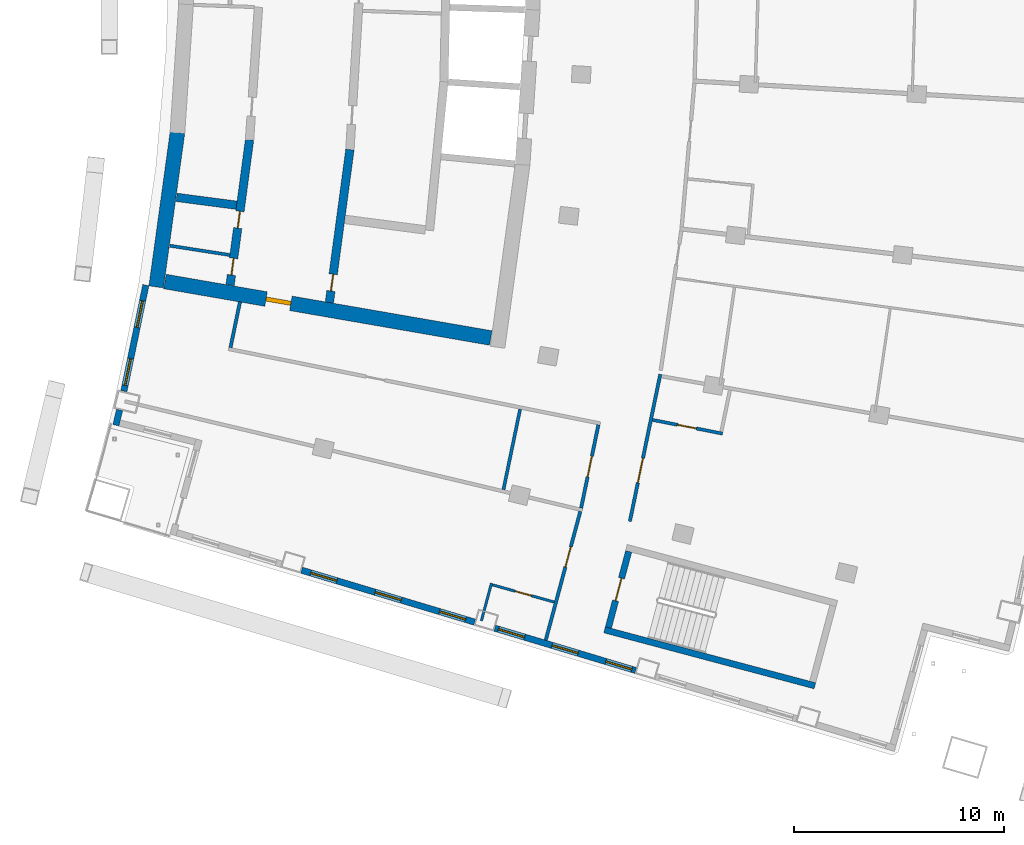
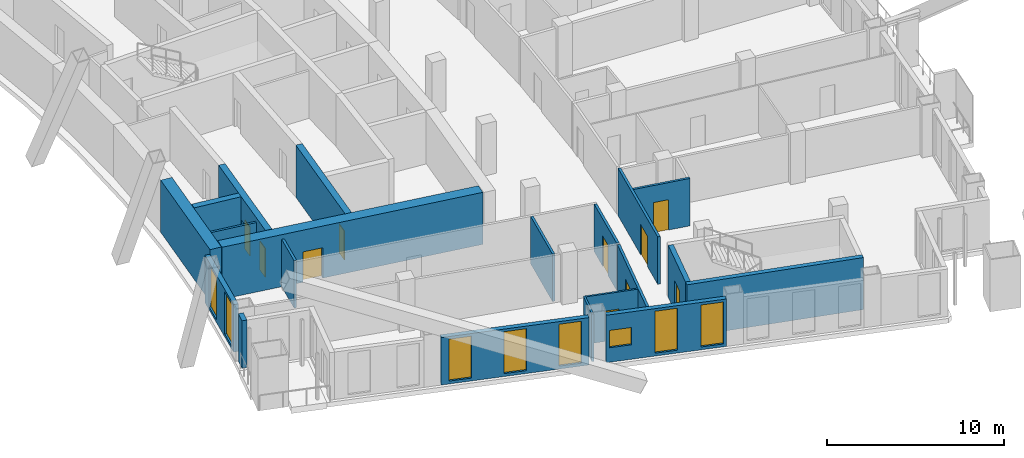
# One storey, part 10 of 20: 20 walls, 10 doors, 8 windows, 18 openings.
"""IFC4 building model written with IfcOpenShell, lengths in metres."""

from ifc_helpers import new_model, si_unit, direction, frame, frame_2d, origin, place, context, subcontext, project, spatial, rectangle, extrude, material, layer, layer_set, type_object, element, fill, save


model = new_model("IFC4")

# Units and contexts
model_context = context("Model", 3, precision=1e-05, world=origin(), true_north=direction((0.0, 1.0)))
body_context = subcontext(model_context, "Body", "Model", "MODEL_VIEW")
ifc_project = project(units=[si_unit("LENGTHUNIT", "METRE"), si_unit("AREAUNIT", "SQUARE_METRE"), si_unit("VOLUMEUNIT", "CUBIC_METRE"), si_unit("PLANEANGLEUNIT", "RADIAN"), si_unit("MASSUNIT", "GRAM", prefix="KILO")], contexts=[model_context])

# Site, building, storey
site_placement = place(None, origin())
site = spatial("IfcSite", under=ifc_project, at=site_placement, CompositionType="ELEMENT")
building_placement = place(site_placement, origin())
building = spatial("IfcBuilding", under=site, at=building_placement, Name="Alderwake Tower", CompositionType="ELEMENT")
storey_placement = place(building_placement, frame((0.0, 0.0, 149.60009765625)))
storey = spatial("IfcBuildingStorey", under=building, at=storey_placement, Name="L36", CompositionType="ELEMENT", Elevation=149.60009765625)

# Walls
ifc_material_1 = material(Name="Gypsum shaft wall system, rated")
ifc_layer_1 = layer(ifc_material_1, 0.14990234375)
ifc_layer_set_1 = layer_set([ifc_layer_1], Name="Core room partition 150")
wall_type_1 = type_object("IfcWallType", Name="Core room partition 150", PredefinedType="PARTITIONING", material=ifc_layer_set_1)
wall_1_placement = place(storey_placement, frame((16.024169921875, 46.097900390625, 0.0), z_axis=(0.0, 0.0, 1.0), x_axis=(0.988178321224, -0.153308856442, 0.0)))
element("IfcWall", 1, at=wall_1_placement, inside=storey, type_object=wall_type_1, Name="CW/L36/PR-161_+0", PredefinedType="PARTITIONING", context=body_context, shape_type="SweptSolid", body=[
    extrude(rectangle(XDim=2.88720703125, YDim=0.14990234375, at=frame_2d((1.443603515625, 0.0))), origin(), (0.0, 0.0, 1.0), 3.27978515625),
])
ifc_material_2 = material(Name="Concrete C70/85", Category="concrete")
ifc_layer_2 = layer(ifc_material_2, 0.699951171875)
ifc_layer_set_2 = layer_set([ifc_layer_2], Name="Core wall outer 700 C70-85")
wall_type_2 = type_object("IfcWallType", Name="Core wall outer 700 C70-85", PredefinedType="SHEAR", material=ifc_layer_set_2)
wall_2_placement = place(storey_placement, frame((15.370849609375, 44.1376953125, 0.0), z_axis=(0.0, 0.0, 1.0), x_axis=(0.136315619812, 0.99066545907, 0.0)))
element("IfcWall", 2, at=wall_2_placement, inside=storey, type_object=wall_type_2, Name="Core wall CW.042", PredefinedType="SHEAR", context=body_context, shape_type="SweptSolid", body=[
    extrude(rectangle(XDim=7.420166015625, YDim=0.699951171875, at=frame_2d((3.7099609375, 0.0))), origin(), (0.0, 0.0, 1.0), 3.599853515625),
])

# Wall, opening, door
wall_3_placement = place(storey_placement, frame((31.295654296875, 41.705810546875, 0.0), z_axis=(0.0, 0.0, 1.0), x_axis=(-0.985302589944, 0.170818050129, 0.0)))
wall_3 = element("IfcWall", 3, at=wall_3_placement, inside=storey, type_object=wall_type_2, Name="Core wall CW.072", PredefinedType="SHEAR", context=body_context, shape_type="SweptSolid", body=[
    extrude(rectangle(XDim=15.7373046875, YDim=0.699951171875, at=frame_2d((7.86865234375, 0.0))), origin(), (0.0, 0.0, 1.0), 3.599853515625),
])
opening_1_placement = place(wall_3_placement, frame((9.65576171875, 0.0, 0.0)))
opening_1 = element("IfcOpeningElement", 4, at=opening_1_placement, cuts=wall_3, Name="Opening C003", PredefinedType="OPENING", context=body_context, shape_type="SweptSolid", body=[
    extrude(rectangle(XDim=1.199951171875, YDim=2.10009765625, at=frame_2d((0.60009765625, 1.050048828125))), frame((0.0, 0.35986328125, 0.0), z_axis=(0.0, -1.0, 0.0), x_axis=(1.0, 0.0, 0.0)), (0.0, 0.0, 1.0), 0.719970703125),
])
ifc_material_3 = material(Name="Steel-framed fire door leaf", Category="steel")
door_type_1 = type_object("IfcDoorType", Name="Core lobby exit door 1200 fire-rated", OperationType="SINGLE_SWING_LEFT", PredefinedType="DOOR", material=ifc_material_3)
door_1_placement = place(opening_1_placement, origin())
door_1 = element("IfcDoor", 5, at=door_1_placement, inside=storey, type_object=door_type_1, Name="Lobby door", OperationType="SINGLE_SWING_LEFT", OverallHeight=2.10009765625, OverallWidth=1.199951171875, PredefinedType="DOOR", context=body_context, shape_type="SweptSolid", body=[
    extrude(rectangle(XDim=1.199951171875, YDim=2.10009765625, at=frame_2d((0.60009765625, 1.050048828125))), frame((0.0, 0.10009765625, 0.0), z_axis=(0.0, -1.0, 0.0), x_axis=(1.0, 0.0, 0.0)), (0.0, 0.0, 1.0), 0.199951171875),
])
fill(opening_1, door_1)

# Wall, openings, doors
ifc_material_4 = material(Name="Concrete C70/85", Category="concrete")
ifc_layer_3 = layer(ifc_material_4, 0.39990234375)
ifc_layer_set_3 = layer_set([ifc_layer_3], Name="Core wall spine 400 C70-85")
wall_type_3 = type_object("IfcWallType", Name="Core wall spine 400 C70-85", PredefinedType="SHEAR", material=ifc_layer_set_3)
wall_4_placement = place(storey_placement, frame((19.814697265625, 51.143798828125, 0.0), z_axis=(0.0, 0.0, 1.0), x_axis=(-0.132864871698, -0.991134161387, 0.0)))
wall_4 = element("IfcWall", 6, at=wall_4_placement, inside=storey, type_object=wall_type_3, Name="Core wall CW.033", PredefinedType="SHEAR", context=body_context, shape_type="SweptSolid", body=[
    extrude(rectangle(XDim=6.978759765625, YDim=0.39990234375, at=frame_2d((3.4892578125, 0.0))), origin(), (0.0, 0.0, 1.0), 3.599853515625),
])
opening_2_placement = place(wall_4_placement, frame((5.69677734375, 0.0, 0.0)))
opening_2 = element("IfcOpeningElement", 7, at=opening_2_placement, cuts=wall_4, Name="Opening C009", PredefinedType="OPENING", context=body_context, shape_type="SweptSolid", body=[
    extrude(rectangle(XDim=0.800048828125, YDim=2.0, at=frame_2d((0.39990234375, 1.0))), frame((0.0, 0.2099609375, 0.0), z_axis=(0.0, -1.0, 0.0), x_axis=(1.0, 0.0, 0.0)), (0.0, 0.0, 1.0), 0.419921875),
])
opening_3_placement = place(wall_4_placement, frame((3.443115234375, 0.0, 0.0)))
opening_3 = element("IfcOpeningElement", 8, at=opening_3_placement, cuts=wall_4, Name="Opening C010", PredefinedType="OPENING", context=body_context, shape_type="SweptSolid", body=[
    extrude(rectangle(XDim=0.800048828125, YDim=2.0, at=frame_2d((0.39990234375, 1.0))), frame((0.0, 0.2099609375, 0.0), z_axis=(0.0, -1.0, 0.0), x_axis=(1.0, 0.0, 0.0)), (0.0, 0.0, 1.0), 0.419921875),
])
ifc_material_5 = material(Name="Painted steel leaf, rated", Category="steel")
door_type_2 = type_object("IfcDoorType", Name="Riser access door 800", OperationType="SINGLE_SWING_LEFT", PredefinedType="DOOR", material=ifc_material_5)
door_2_placement = place(opening_2_placement, origin())
door_2 = element("IfcDoor", 9, at=door_2_placement, inside=storey, type_object=door_type_2, Name="Riser access door", OperationType="SINGLE_SWING_LEFT", OverallHeight=2.0, OverallWidth=0.800048828125, PredefinedType="DOOR", context=body_context, shape_type="SweptSolid", body=[
    extrude(rectangle(XDim=0.800048828125, YDim=2.0, at=frame_2d((0.39990234375, 1.0))), frame((0.0, 0.02490234375, 0.0), z_axis=(0.0, -1.0, 0.0), x_axis=(1.0, 0.0, 0.0)), (0.0, 0.0, 1.0), 0.050048828125),
])
fill(opening_2, door_2)
door_3_placement = place(opening_3_placement, origin())
door_3 = element("IfcDoor", 10, at=door_3_placement, inside=storey, type_object=door_type_2, Name="Riser access door", OperationType="SINGLE_SWING_RIGHT", OverallHeight=2.0, OverallWidth=0.800048828125, PredefinedType="DOOR", context=body_context, shape_type="SweptSolid", body=[
    extrude(rectangle(XDim=0.800048828125, YDim=2.0, at=frame_2d((0.39990234375, 1.0))), frame((0.0, 0.02490234375, 0.0), z_axis=(0.0, -1.0, 0.0), x_axis=(1.0, 0.0, 0.0)), (0.0, 0.0, 1.0), 0.050048828125),
])
fill(opening_3, door_3)

# Wall, opening, door
wall_5_placement = place(storey_placement, frame((23.6142578125, 43.390869140625, 0.0), z_axis=(0.0, 0.0, 1.0), x_axis=(0.133023466616, 0.991112888287, 0.0)))
wall_5 = element("IfcWall", 11, at=wall_5_placement, inside=storey, type_object=wall_type_3, Name="Core wall CW.047", PredefinedType="SHEAR", context=body_context, shape_type="SweptSolid", body=[
    extrude(rectangle(XDim=7.3466796875, YDim=0.39990234375, at=frame_2d((3.67333984375, 0.0))), origin(), (0.0, 0.0, 1.0), 3.599853515625),
])
opening_4_placement = place(wall_5_placement, frame((0.557861328125, 0.0, 0.0)))
opening_4 = element("IfcOpeningElement", 12, at=opening_4_placement, cuts=wall_5, Name="Opening C013", PredefinedType="OPENING", context=body_context, shape_type="SweptSolid", body=[
    extrude(rectangle(XDim=0.800048828125, YDim=2.0, at=frame_2d((0.39990234375, 1.0))), frame((0.0, 0.2099609375, 0.0), z_axis=(0.0, -1.0, 0.0), x_axis=(1.0, 0.0, 0.0)), (0.0, 0.0, 1.0), 0.419921875),
])
door_4_placement = place(opening_4_placement, origin())
door_4 = element("IfcDoor", 13, at=door_4_placement, inside=storey, type_object=door_type_2, Name="Riser access door", OperationType="SINGLE_SWING_LEFT", OverallHeight=2.0, OverallWidth=0.800048828125, PredefinedType="DOOR", context=body_context, shape_type="SweptSolid", body=[
    extrude(rectangle(XDim=0.800048828125, YDim=2.0, at=frame_2d((0.39990234375, 1.0))), frame((0.0, 0.02490234375, 0.0), z_axis=(0.0, -1.0, 0.0), x_axis=(1.0, 0.0, 0.0)), (0.0, 0.0, 1.0), 0.050048828125),
])
fill(opening_4, door_4)

# Walls
wall_6_placement = place(storey_placement, frame((16.3408203125, 48.3994140625, 0.0), z_axis=(0.0, 0.0, 1.0), x_axis=(0.991544987266, -0.129763393253, 0.0)))
element("IfcWall", 14, at=wall_6_placement, inside=storey, type_object=wall_type_3, Name="Core wall CW.067", PredefinedType="SHEAR", context=body_context, shape_type="SweptSolid", body=[
    extrude(rectangle(XDim=2.878662109375, YDim=0.39990234375, at=frame_2d((1.439453125, 0.0))), origin(), (0.0, 0.0, 1.0), 3.599853515625),
])
ifc_material_6 = material(Name="Concrete C70/85", Category="concrete")
ifc_layer_4 = layer(ifc_material_6, 0.300048828125)
ifc_layer_set_4 = layer_set([ifc_layer_4], Name="Core wall stair enclosure 300 C70-85")
wall_type_4 = type_object("IfcWallType", Name="Core wall stair enclosure 300 C70-85", PredefinedType="SHEAR", material=ifc_layer_set_4)
wall_7_placement = place(storey_placement, frame((36.71142578125, 27.817626953125, 0.0), z_axis=(0.0, 0.0, 1.0), x_axis=(0.966309214305, -0.257383958996, 0.0)))
element("IfcWall", 15, at=wall_7_placement, inside=storey, type_object=wall_type_4, Name="Core wall CW.088", PredefinedType="SHEAR", context=body_context, shape_type="SweptSolid", body=[
    extrude(rectangle(XDim=10.360107421875, YDim=0.300048828125, at=frame_2d((5.18017578125, 0.0))), origin(), (0.0, 0.0, 1.0), 3.599853515625),
])

# Wall, opening, door
wall_8_placement = place(storey_placement, frame((36.89501953125, 27.923828125, 0.0), z_axis=(0.0, 0.0, 1.0), x_axis=(0.257350630826, 0.966318090907, 0.0)))
wall_8 = element("IfcWall", 16, at=wall_8_placement, inside=storey, type_object=wall_type_4, Name="Core wall CW.087", PredefinedType="SHEAR", context=body_context, shape_type="SweptSolid", body=[
    extrude(rectangle(XDim=3.75, YDim=0.300048828125, at=frame_2d((1.875, 0.0))), origin(), (0.0, 0.0, 1.0), 3.599853515625),
])
opening_5_placement = place(wall_8_placement, frame((1.324951171875, 0.0, 0.0)))
opening_5 = element("IfcOpeningElement", 17, at=opening_5_placement, cuts=wall_8, Name="Opening C065", PredefinedType="OPENING", context=body_context, shape_type="SweptSolid", body=[
    extrude(rectangle(XDim=1.10009765625, YDim=2.10009765625, at=frame_2d((0.550048828125, 1.050048828125))), frame((0.0, 0.159912109375, 0.0), z_axis=(0.0, -1.0, 0.0), x_axis=(1.0, 0.0, 0.0)), (0.0, 0.0, 1.0), 0.320068359375),
])
ifc_material_7 = material(Name="Steel-framed fire door leaf", Category="steel")
door_type_3 = type_object("IfcDoorType", Name="Core stair door 1100 fire-rated", OperationType="SINGLE_SWING_LEFT", PredefinedType="DOOR", material=ifc_material_7)
door_5_placement = place(opening_5_placement, origin())
door_5 = element("IfcDoor", 18, at=door_5_placement, inside=storey, type_object=door_type_3, Name="Stair door", OperationType="SINGLE_SWING_LEFT", OverallHeight=2.10009765625, OverallWidth=1.10009765625, PredefinedType="DOOR", context=body_context, shape_type="SweptSolid", body=[
    extrude(rectangle(XDim=1.10009765625, YDim=2.10009765625, at=frame_2d((0.550048828125, 1.050048828125))), frame((0.0, 0.02490234375, 0.0), z_axis=(0.0, -1.0, 0.0), x_axis=(1.0, 0.0, 0.0)), (0.0, 0.0, 1.0), 0.050048828125),
])
fill(opening_5, door_5)

# Wall
ifc_material_8 = material(Name="Gypsum board on metal studs, rated")
ifc_layer_5 = layer(ifc_material_8, 0.159912109375)
ifc_layer_set_5 = layer_set([ifc_layer_5], Name="Corridor wall 160")
wall_type_5 = type_object("IfcWallType", Name="Corridor wall 160", PredefinedType="PARTITIONING", material=ifc_layer_set_5)
wall_9_placement = place(storey_placement, frame((19.35888671875, 43.430908203125, 0.0), z_axis=(0.0, 0.0, 1.0), x_axis=(-0.202554916658, -0.979270905183, 0.0)))
element("IfcWall", 19, at=wall_9_placement, inside=storey, type_object=wall_type_5, Name="WL/L36/W13", PredefinedType="PARTITIONING", context=body_context, shape_type="SweptSolid", body=[
    extrude(rectangle(XDim=2.229736328125, YDim=0.159912109375, at=frame_2d((1.11474609375, 0.0))), origin(), (0.0, 0.0, 1.0), 3.27978515625),
])

# Wall, opening, door
wall_10_placement = place(storey_placement, frame((33.912109375, 27.321044921875, 0.0), z_axis=(0.0, 0.0, 1.0), x_axis=(0.259370874835, 0.965777794986, 0.0)))
wall_10 = element("IfcWall", 20, at=wall_10_placement, inside=storey, type_object=wall_type_5, Name="WL/L36/W16", PredefinedType="PARTITIONING", context=body_context, shape_type="SweptSolid", body=[
    extrude(rectangle(XDim=6.349853515625, YDim=0.159912109375, at=frame_2d((3.1748046875, 0.0))), origin(), (0.0, 0.0, 1.0), 3.27978515625),
])
opening_6_placement = place(wall_10_placement, frame((3.603515625, 0.0, 0.0)))
opening_6 = element("IfcOpeningElement", 21, at=opening_6_placement, cuts=wall_10, Name="Opening R10-U08.1", PredefinedType="OPENING", context=body_context, shape_type="SweptSolid", body=[
    extrude(rectangle(XDim=1.0, YDim=2.10009765625, at=frame_2d((0.5, 1.050048828125))), frame((0.0, 0.08984375, 0.0), z_axis=(0.0, -1.0, 0.0), x_axis=(1.0, 0.0, 0.0)), (0.0, 0.0, 1.0), 0.179931640625),
])
ifc_material_9 = material(Name="Solid timber leaf in steel frame", Category="steel")
door_type_4 = type_object("IfcDoorType", Name="Flat entrance door 1000 fire-rated", OperationType="SINGLE_SWING_LEFT", PredefinedType="DOOR", material=ifc_material_9)
door_6_placement = place(opening_6_placement, origin())
door_6 = element("IfcDoor", 22, at=door_6_placement, inside=storey, type_object=door_type_4, Name="DR/L36/U08.1", OperationType="SINGLE_SWING_LEFT", OverallHeight=2.10009765625, OverallWidth=1.0, PredefinedType="DOOR", context=body_context, shape_type="SweptSolid", body=[
    extrude(rectangle(XDim=1.0, YDim=2.10009765625, at=frame_2d((0.5, 1.050048828125))), frame((0.0, 0.02490234375, 0.0), z_axis=(0.0, -1.0, 0.0), x_axis=(1.0, 0.0, 0.0)), (0.0, 0.0, 1.0), 0.050048828125),
])
fill(opening_6, door_6)

wall_11_placement = place(storey_placement, frame((35.59619140625, 33.609375, 0.0), z_axis=(0.0, 0.0, 1.0), x_axis=(0.203245920818, 0.979127721838, 0.0)))
wall_11 = element("IfcWall", 23, at=wall_11_placement, inside=storey, type_object=wall_type_5, Name="WL/L36/W19", PredefinedType="PARTITIONING", context=body_context, shape_type="SweptSolid", body=[
    extrude(rectangle(XDim=4.046875, YDim=0.159912109375, at=frame_2d((2.0234375, 0.0))), origin(), (0.0, 0.0, 1.0), 3.27978515625),
])
opening_7_placement = place(wall_11_placement, frame((1.5234375, 0.0, 0.0)))
opening_7 = element("IfcOpeningElement", 24, at=opening_7_placement, cuts=wall_11, Name="Opening R10-SBS2", PredefinedType="OPENING", context=body_context, shape_type="SweptSolid", body=[
    extrude(rectangle(XDim=1.0, YDim=2.10009765625, at=frame_2d((0.5, 1.050048828125))), frame((0.0, 0.08984375, 0.0), z_axis=(0.0, -1.0, 0.0), x_axis=(1.0, 0.0, 0.0)), (0.0, 0.0, 1.0), 0.179931640625),
])
ifc_material_10 = material(Name="Steel-framed fire door leaf", Category="steel")
door_type_5 = type_object("IfcDoorType", Name="Plant room door 1000 fire-rated", OperationType="SINGLE_SWING_LEFT", PredefinedType="DOOR", material=ifc_material_10)
door_7_placement = place(opening_7_placement, origin())
door_7 = element("IfcDoor", 25, at=door_7_placement, inside=storey, type_object=door_type_5, Name="DR/L36/SBS2", OperationType="SINGLE_SWING_LEFT", OverallHeight=2.10009765625, OverallWidth=1.0, PredefinedType="DOOR", context=body_context, shape_type="SweptSolid", body=[
    extrude(rectangle(XDim=1.0, YDim=2.10009765625, at=frame_2d((0.5, 1.050048828125))), frame((0.0, 0.02490234375, 0.0), z_axis=(0.0, -1.0, 0.0), x_axis=(1.0, 0.0, 0.0)), (0.0, 0.0, 1.0), 0.050048828125),
])
fill(opening_7, door_7)

wall_12_placement = place(storey_placement, frame((39.3642578125, 39.975341796875, 0.0), z_axis=(0.0, 0.0, 1.0), x_axis=(-0.202490391407, -0.979284249535, 0.0)))
wall_12 = element("IfcWall", 26, at=wall_12_placement, inside=storey, type_object=wall_type_5, Name="WL/L36/W21", PredefinedType="PARTITIONING", context=body_context, shape_type="SweptSolid", body=[
    extrude(rectangle(XDim=7.147216796875, YDim=0.159912109375, at=frame_2d((3.57373046875, 0.0))), origin(), (0.0, 0.0, 1.0), 3.27978515625),
])
opening_8_placement = place(wall_12_placement, frame((4.073486328125, 0.0, 0.0)))
opening_8 = element("IfcOpeningElement", 27, at=opening_8_placement, cuts=wall_12, Name="Opening R10-AM1.1", PredefinedType="OPENING", context=body_context, shape_type="SweptSolid", body=[
    extrude(rectangle(XDim=1.199951171875, YDim=2.10009765625, at=frame_2d((0.60009765625, 1.050048828125))), frame((0.0, 0.08984375, 0.0), z_axis=(0.0, -1.0, 0.0), x_axis=(1.0, 0.0, 0.0)), (0.0, 0.0, 1.0), 0.179931640625),
])
ifc_material_11 = material(Name="Steel-framed fire door leaf", Category="steel")
door_type_6 = type_object("IfcDoorType", Name="Lobby door 1200 fire-rated", OperationType="SINGLE_SWING_LEFT", PredefinedType="DOOR", material=ifc_material_11)
door_8_placement = place(opening_8_placement, origin())
door_8 = element("IfcDoor", 28, at=door_8_placement, inside=storey, type_object=door_type_6, Name="DR/L36/AM1.1", OperationType="SINGLE_SWING_LEFT", OverallHeight=2.10009765625, OverallWidth=1.199951171875, PredefinedType="DOOR", context=body_context, shape_type="SweptSolid", body=[
    extrude(rectangle(XDim=1.199951171875, YDim=2.10009765625, at=frame_2d((0.60009765625, 1.050048828125))), frame((0.0, 0.02490234375, 0.0), z_axis=(0.0, -1.0, 0.0), x_axis=(1.0, 0.0, 0.0)), (0.0, 0.0, 1.0), 0.050048828125),
])
fill(opening_8, door_8)

# Wall
ifc_material_12 = material(Name="Precast concrete C50/60 spandrel panel", Category="concrete")
ifc_layer_6 = layer(ifc_material_12, 0.300048828125)
ifc_layer_set_6 = layer_set([ifc_layer_6], Name="External wall EW1 Precast concrete C50/60 spandrel")
wall_type_6 = type_object("IfcWallType", Name="External wall EW1 Precast concrete C50/60 spandrel", PredefinedType="SOLIDWALL", material=ifc_layer_set_6)
wall_13_placement = place(storey_placement, frame((13.63134765625, 38.28271484375, 0.0), z_axis=(0.0, 0.0, 1.0), x_axis=(-0.238336947214, -0.971182526404, 0.0)))
element("IfcWall", 29, at=wall_13_placement, inside=storey, type_object=wall_type_6, Name="External wall 1", PredefinedType="SOLIDWALL", context=body_context, shape_type="SweptSolid", body=[
    extrude(rectangle(XDim=0.7529296875, YDim=0.300048828125, at=frame_2d((0.37646484375, 0.0))), origin(), (0.0, 0.0, 1.0), 3.27978515625),
])

# Wall, openings, windows
wall_14_placement = place(storey_placement, frame((14.878173828125, 44.223388671875, 0.0), z_axis=(0.0, 0.0, 1.0), x_axis=(-0.202754243564, -0.979229654737, 0.0)))
wall_14 = element("IfcWall", 30, at=wall_14_placement, inside=storey, type_object=wall_type_6, Name="External wall 32", PredefinedType="SOLIDWALL", context=body_context, shape_type="SweptSolid", body=[
    extrude(rectangle(XDim=5.15966796875, YDim=0.300048828125, at=frame_2d((2.579833984375, 0.0))), origin(), (0.0, 0.0, 1.0), 3.27978515625),
])
opening_9_placement = place(wall_14_placement, frame((0.75634765625, 0.0, 0.199951171875)))
opening_9 = element("IfcOpeningElement", 31, at=opening_9_placement, cuts=wall_14, Name="Opening W1", PredefinedType="OPENING", context=body_context, shape_type="SweptSolid", body=[
    extrude(rectangle(XDim=1.300048828125, YDim=2.89990234375, at=frame_2d((0.64990234375, 1.449951171875))), frame((0.0, 0.159912109375, 0.0), z_axis=(0.0, -1.0, 0.0), x_axis=(1.0, 0.0, 0.0)), (0.0, 0.0, 1.0), 0.320068359375),
])
opening_10_placement = place(wall_14_placement, frame((3.569091796875, 0.0, 0.199951171875)))
opening_10 = element("IfcOpeningElement", 32, at=opening_10_placement, cuts=wall_14, Name="Opening W1", PredefinedType="OPENING", context=body_context, shape_type="SweptSolid", body=[
    extrude(rectangle(XDim=1.300048828125, YDim=2.89990234375, at=frame_2d((0.64990234375, 1.449951171875))), frame((0.0, 0.159912109375, 0.0), z_axis=(0.0, -1.0, 0.0), x_axis=(1.0, 0.0, 0.0)), (0.0, 0.0, 1.0), 0.320068359375),
])
ifc_material_13 = material(Name="Bronze tinted glass in aluminium frame", Category="aluminium")
window_type_1 = type_object("IfcWindowType", Name="Window W1 tall fixed and vent", PartitioningType="DOUBLE_PANEL_VERTICAL", PredefinedType="WINDOW", material=ifc_material_13)
window_1_placement = place(opening_9_placement, origin())
window_1 = element("IfcWindow", 33, at=window_1_placement, inside=storey, type_object=window_type_1, Name="Window W1 tall fixed and vent", OverallHeight=2.89990234375, OverallWidth=1.300048828125, PartitioningType="DOUBLE_PANEL_VERTICAL", PredefinedType="WINDOW", context=body_context, shape_type="SweptSolid", body=[
    extrude(rectangle(XDim=1.300048828125, YDim=2.89990234375, at=frame_2d((0.64990234375, 1.449951171875))), frame((0.0, 0.030029296875, 0.0), z_axis=(0.0, -1.0, 0.0), x_axis=(1.0, 0.0, 0.0)), (0.0, 0.0, 1.0), 0.06005859375),
])
fill(opening_9, window_1)
window_2_placement = place(opening_10_placement, origin())
window_2 = element("IfcWindow", 34, at=window_2_placement, inside=storey, type_object=window_type_1, Name="Window W1 tall fixed and vent", OverallHeight=2.89990234375, OverallWidth=1.300048828125, PartitioningType="DOUBLE_PANEL_VERTICAL", PredefinedType="WINDOW", context=body_context, shape_type="SweptSolid", body=[
    extrude(rectangle(XDim=1.300048828125, YDim=2.89990234375, at=frame_2d((0.64990234375, 1.449951171875))), frame((0.0, 0.030029296875, 0.0), z_axis=(0.0, -1.0, 0.0), x_axis=(1.0, 0.0, 0.0)), (0.0, 0.0, 1.0), 0.06005859375),
])
fill(opening_10, window_2)

ifc_material_14 = material(Name="Bronze metal cladding on lightweight framing")
ifc_layer_7 = layer(ifc_material_14, 0.300048828125)
ifc_layer_set_7 = layer_set([ifc_layer_7], Name="External wall EW2 bronze metal cladding")
wall_type_7 = type_object("IfcWallType", Name="External wall EW2 bronze metal cladding", PredefinedType="SOLIDWALL", material=ifc_layer_set_7)
wall_15_placement = place(storey_placement, frame((22.294677734375, 30.653564453125, 0.0), z_axis=(0.0, 0.0, 1.0), x_axis=(0.957768419769, -0.287540699891, 0.0)))
wall_15 = element("IfcWall", 35, at=wall_15_placement, inside=storey, type_object=wall_type_7, Name="External wall 5", PredefinedType="SOLIDWALL", context=body_context, shape_type="SweptSolid", body=[
    extrude(rectangle(XDim=8.595947265625, YDim=0.300048828125, at=frame_2d((4.2978515625, 0.0))), origin(), (0.0, 0.0, 1.0), 3.27978515625),
])
opening_11_placement = place(wall_15_placement, frame((0.44775390625, 0.0, 0.199951171875)))
opening_11 = element("IfcOpeningElement", 36, at=opening_11_placement, cuts=wall_15, Name="Opening W1", PredefinedType="OPENING", context=body_context, shape_type="SweptSolid", body=[
    extrude(rectangle(XDim=1.300048828125, YDim=2.89990234375, at=frame_2d((0.64990234375, 1.449951171875))), frame((0.0, 0.159912109375, 0.0), z_axis=(0.0, -1.0, 0.0), x_axis=(1.0, 0.0, 0.0)), (0.0, 0.0, 1.0), 0.320068359375),
])
opening_12_placement = place(wall_15_placement, frame((3.647705078125, 0.0, 0.199951171875)))
opening_12 = element("IfcOpeningElement", 37, at=opening_12_placement, cuts=wall_15, Name="Opening W1", PredefinedType="OPENING", context=body_context, shape_type="SweptSolid", body=[
    extrude(rectangle(XDim=1.300048828125, YDim=2.89990234375, at=frame_2d((0.64990234375, 1.449951171875))), frame((0.0, 0.159912109375, 0.0), z_axis=(0.0, -1.0, 0.0), x_axis=(1.0, 0.0, 0.0)), (0.0, 0.0, 1.0), 0.320068359375),
])
opening_13_placement = place(wall_15_placement, frame((6.847900390625, 0.0, 0.199951171875)))
opening_13 = element("IfcOpeningElement", 38, at=opening_13_placement, cuts=wall_15, Name="Opening W1", PredefinedType="OPENING", context=body_context, shape_type="SweptSolid", body=[
    extrude(rectangle(XDim=1.300048828125, YDim=2.89990234375, at=frame_2d((0.64990234375, 1.449951171875))), frame((0.0, 0.159912109375, 0.0), z_axis=(0.0, -1.0, 0.0), x_axis=(1.0, 0.0, 0.0)), (0.0, 0.0, 1.0), 0.320068359375),
])
window_3_placement = place(opening_11_placement, origin())
window_3 = element("IfcWindow", 39, at=window_3_placement, inside=storey, type_object=window_type_1, Name="Window W1 tall fixed and vent", OverallHeight=2.89990234375, OverallWidth=1.300048828125, PartitioningType="DOUBLE_PANEL_VERTICAL", PredefinedType="WINDOW", context=body_context, shape_type="SweptSolid", body=[
    extrude(rectangle(XDim=1.300048828125, YDim=2.89990234375, at=frame_2d((0.64990234375, 1.449951171875))), frame((0.0, 0.030029296875, 0.0), z_axis=(0.0, -1.0, 0.0), x_axis=(1.0, 0.0, 0.0)), (0.0, 0.0, 1.0), 0.06005859375),
])
fill(opening_11, window_3)
window_4_placement = place(opening_12_placement, origin())
window_4 = element("IfcWindow", 40, at=window_4_placement, inside=storey, type_object=window_type_1, Name="Window W1 tall fixed and vent", OverallHeight=2.89990234375, OverallWidth=1.300048828125, PartitioningType="DOUBLE_PANEL_VERTICAL", PredefinedType="WINDOW", context=body_context, shape_type="SweptSolid", body=[
    extrude(rectangle(XDim=1.300048828125, YDim=2.89990234375, at=frame_2d((0.64990234375, 1.449951171875))), frame((0.0, 0.030029296875, 0.0), z_axis=(0.0, -1.0, 0.0), x_axis=(1.0, 0.0, 0.0)), (0.0, 0.0, 1.0), 0.06005859375),
])
fill(opening_12, window_4)
window_5_placement = place(opening_13_placement, origin())
window_5 = element("IfcWindow", 41, at=window_5_placement, inside=storey, type_object=window_type_1, Name="Window W1 tall fixed and vent", OverallHeight=2.89990234375, OverallWidth=1.300048828125, PartitioningType="DOUBLE_PANEL_VERTICAL", PredefinedType="WINDOW", context=body_context, shape_type="SweptSolid", body=[
    extrude(rectangle(XDim=1.300048828125, YDim=2.89990234375, at=frame_2d((0.64990234375, 1.449951171875))), frame((0.0, 0.030029296875, 0.0), z_axis=(0.0, -1.0, 0.0), x_axis=(1.0, 0.0, 0.0)), (0.0, 0.0, 1.0), 0.06005859375),
])
fill(opening_13, window_5)

wall_16_placement = place(storey_placement, frame((31.4892578125, 27.893310546875, 0.0), z_axis=(0.0, 0.0, 1.0), x_axis=(0.957757105671, -0.287578383292, 0.0)))
wall_16 = element("IfcWall", 42, at=wall_16_placement, inside=storey, type_object=wall_type_7, Name="External wall 6", PredefinedType="SOLIDWALL", context=body_context, shape_type="SweptSolid", body=[
    extrude(rectangle(XDim=6.996337890625, YDim=0.300048828125, at=frame_2d((3.498046875, 0.0))), origin(), (0.0, 0.0, 1.0), 3.27978515625),
])
opening_14_placement = place(wall_16_placement, frame((0.181396484375, 0.0, 1.0)))
opening_14 = element("IfcOpeningElement", 43, at=opening_14_placement, cuts=wall_16, Name="Opening W2", PredefinedType="OPENING", context=body_context, shape_type="SweptSolid", body=[
    extrude(rectangle(XDim=1.300048828125, YDim=1.199951171875, at=frame_2d((0.64990234375, 0.60009765625))), frame((0.0, 0.159912109375, 0.0), z_axis=(0.0, -1.0, 0.0), x_axis=(1.0, 0.0, 0.0)), (0.0, 0.0, 1.0), 0.320068359375),
])
opening_15_placement = place(wall_16_placement, frame((2.847900390625, 0.0, 0.199951171875)))
opening_15 = element("IfcOpeningElement", 44, at=opening_15_placement, cuts=wall_16, Name="Opening W1", PredefinedType="OPENING", context=body_context, shape_type="SweptSolid", body=[
    extrude(rectangle(XDim=1.300048828125, YDim=2.89990234375, at=frame_2d((0.64990234375, 1.449951171875))), frame((0.0, 0.159912109375, 0.0), z_axis=(0.0, -1.0, 0.0), x_axis=(1.0, 0.0, 0.0)), (0.0, 0.0, 1.0), 0.320068359375),
])
opening_16_placement = place(wall_16_placement, frame((5.5146484375, 0.0, 0.199951171875)))
opening_16 = element("IfcOpeningElement", 45, at=opening_16_placement, cuts=wall_16, Name="Opening W1", PredefinedType="OPENING", context=body_context, shape_type="SweptSolid", body=[
    extrude(rectangle(XDim=1.300048828125, YDim=2.89990234375, at=frame_2d((0.64990234375, 1.449951171875))), frame((0.0, 0.159912109375, 0.0), z_axis=(0.0, -1.0, 0.0), x_axis=(1.0, 0.0, 0.0)), (0.0, 0.0, 1.0), 0.320068359375),
])
window_6_placement = place(opening_15_placement, origin())
window_6 = element("IfcWindow", 46, at=window_6_placement, inside=storey, type_object=window_type_1, Name="Window W1 tall fixed and vent", OverallHeight=2.89990234375, OverallWidth=1.300048828125, PartitioningType="DOUBLE_PANEL_VERTICAL", PredefinedType="WINDOW", context=body_context, shape_type="SweptSolid", body=[
    extrude(rectangle(XDim=1.300048828125, YDim=2.89990234375, at=frame_2d((0.64990234375, 1.449951171875))), frame((0.0, 0.030029296875, 0.0), z_axis=(0.0, -1.0, 0.0), x_axis=(1.0, 0.0, 0.0)), (0.0, 0.0, 1.0), 0.06005859375),
])
fill(opening_15, window_6)
window_7_placement = place(opening_16_placement, origin())
window_7 = element("IfcWindow", 47, at=window_7_placement, inside=storey, type_object=window_type_1, Name="Window W1 tall fixed and vent", OverallHeight=2.89990234375, OverallWidth=1.300048828125, PartitioningType="DOUBLE_PANEL_VERTICAL", PredefinedType="WINDOW", context=body_context, shape_type="SweptSolid", body=[
    extrude(rectangle(XDim=1.300048828125, YDim=2.89990234375, at=frame_2d((0.64990234375, 1.449951171875))), frame((0.0, 0.030029296875, 0.0), z_axis=(0.0, -1.0, 0.0), x_axis=(1.0, 0.0, 0.0)), (0.0, 0.0, 1.0), 0.06005859375),
])
fill(opening_16, window_7)
ifc_material_15 = material(Name="Bronze tinted glass in aluminium frame", Category="aluminium")
window_type_2 = type_object("IfcWindowType", Name="Window W2 kitchen and bath", PartitioningType="SINGLE_PANEL", PredefinedType="WINDOW", material=ifc_material_15)
window_8_placement = place(opening_14_placement, origin())
window_8 = element("IfcWindow", 48, at=window_8_placement, inside=storey, type_object=window_type_2, Name="Window W2 kitchen and bath", OverallHeight=1.199951171875, OverallWidth=1.300048828125, PartitioningType="SINGLE_PANEL", PredefinedType="WINDOW", context=body_context, shape_type="SweptSolid", body=[
    extrude(rectangle(XDim=1.300048828125, YDim=1.199951171875, at=frame_2d((0.64990234375, 0.60009765625))), frame((0.0, 0.030029296875, 0.0), z_axis=(0.0, -1.0, 0.0), x_axis=(1.0, 0.0, 0.0)), (0.0, 0.0, 1.0), 0.06005859375),
])
fill(opening_14, window_8)

# Wall
ifc_material_16 = material(Name="Gypsum shaft wall system, rated")
ifc_layer_8 = layer(ifc_material_16, 0.14990234375)
ifc_layer_set_8 = layer_set([ifc_layer_8], Name="Riser and shaft wall 150")
wall_type_8 = type_object("IfcWallType", Name="Riser and shaft wall 150", PredefinedType="PARTITIONING", material=ifc_layer_set_8)
wall_17_placement = place(storey_placement, frame((31.900146484375, 34.48828125, 0.0), z_axis=(0.0, 0.0, 1.0), x_axis=(0.20266545775, 0.979248034073, 0.0)))
element("IfcWall", 49, at=wall_17_placement, inside=storey, type_object=wall_type_8, Name="WL/L36/W07", PredefinedType="PARTITIONING", context=body_context, shape_type="SweptSolid", body=[
    extrude(rectangle(XDim=3.911376953125, YDim=0.14990234375, at=frame_2d((1.95556640625, 0.0))), origin(), (0.0, 0.0, 1.0), 3.27978515625),
])

# Wall, opening, door
wall_18_placement = place(storey_placement, frame((38.99755859375, 37.8056640625, 0.0), z_axis=(0.0, 0.0, 1.0), x_axis=(0.981480367208, -0.191562754169, 0.0)))
wall_18 = element("IfcWall", 50, at=wall_18_placement, inside=storey, type_object=wall_type_8, Name="WL/L36/W09", PredefinedType="PARTITIONING", context=body_context, shape_type="SweptSolid", body=[
    extrude(rectangle(XDim=3.393798828125, YDim=0.14990234375, at=frame_2d((1.69677734375, 0.0))), origin(), (0.0, 0.0, 1.0), 3.27978515625),
])
opening_17_placement = place(wall_18_placement, frame((1.209228515625, 0.0, 0.0)))
opening_17 = element("IfcOpeningElement", 51, at=opening_17_placement, cuts=wall_18, Name="Opening R10-AM1.2", PredefinedType="OPENING", context=body_context, shape_type="SweptSolid", body=[
    extrude(rectangle(XDim=0.89990234375, YDim=2.10009765625, at=frame_2d((0.449951171875, 1.050048828125))), frame((0.0, 0.0849609375, 0.0), z_axis=(0.0, -1.0, 0.0), x_axis=(1.0, 0.0, 0.0)), (0.0, 0.0, 1.0), 0.169921875),
])
ifc_material_17 = material(Name="Painted timber leaf", Category="wood")
door_type_7 = type_object("IfcDoorType", Name="Room door 900", OperationType="SINGLE_SWING_LEFT", PredefinedType="DOOR", material=ifc_material_17)
door_9_placement = place(opening_17_placement, origin())
door_9 = element("IfcDoor", 52, at=door_9_placement, inside=storey, type_object=door_type_7, Name="DR/L36/AM1.2", OperationType="SINGLE_SWING_LEFT", OverallHeight=2.10009765625, OverallWidth=0.89990234375, PredefinedType="DOOR", context=body_context, shape_type="SweptSolid", body=[
    extrude(rectangle(XDim=0.89990234375, YDim=2.10009765625, at=frame_2d((0.449951171875, 1.050048828125))), frame((0.0, 0.02490234375, 0.0), z_axis=(0.0, -1.0, 0.0), x_axis=(1.0, 0.0, 0.0)), (0.0, 0.0, 1.0), 0.050048828125),
])
fill(opening_17, door_9)

# Wall
ifc_material_18 = material(Name="Moisture resistant gypsum board on metal studs")
ifc_layer_9 = layer(ifc_material_18, 0.1201171875)
ifc_layer_set_9 = layer_set([ifc_layer_9], Name="Wet room partition 120")
wall_type_9 = type_object("IfcWallType", Name="Wet room partition 120", PredefinedType="PARTITIONING", material=ifc_layer_set_9)
wall_19_placement = place(storey_placement, frame((31.32958984375, 30.031005859375, 0.0), z_axis=(0.0, 0.0, 1.0), x_axis=(-0.259368447521, -0.965778446866, 0.0)))
element("IfcWall", 53, at=wall_19_placement, inside=storey, type_object=wall_type_9, Name="WL/L36/W31", PredefinedType="PARTITIONING", context=body_context, shape_type="SweptSolid", body=[
    extrude(rectangle(XDim=1.8525390625, YDim=0.1201171875, at=frame_2d((0.92626953125, 0.0))), origin(), (0.0, 0.0, 1.0), 3.27978515625),
])

# Wall, opening, door
wall_20_placement = place(storey_placement, frame((34.31787109375, 29.136474609375, 0.0), z_axis=(0.0, 0.0, 1.0), x_axis=(-0.963351881246, 0.268240848677, 0.0)))
wall_20 = element("IfcWall", 54, at=wall_20_placement, inside=storey, type_object=wall_type_9, Name="WL/L36/W33", PredefinedType="PARTITIONING", context=body_context, shape_type="SweptSolid", body=[
    extrude(rectangle(XDim=3.05810546875, YDim=0.1201171875, at=frame_2d((1.529052734375, 0.0))), origin(), (0.0, 0.0, 1.0), 3.27978515625),
])
opening_18_placement = place(wall_20_placement, frame((1.129150390625, 0.0, 0.0)))
opening_18 = element("IfcOpeningElement", 55, at=opening_18_placement, cuts=wall_20, Name="Opening R10-U08.2", PredefinedType="OPENING", context=body_context, shape_type="SweptSolid", body=[
    extrude(rectangle(XDim=0.800048828125, YDim=2.10009765625, at=frame_2d((0.39990234375, 1.050048828125))), frame((0.0, 0.070068359375, 0.0), z_axis=(0.0, -1.0, 0.0), x_axis=(1.0, 0.0, 0.0)), (0.0, 0.0, 1.0), 0.14013671875),
])
ifc_material_19 = material(Name="Painted timber leaf", Category="wood")
door_type_8 = type_object("IfcDoorType", Name="Bathroom door 800", OperationType="SINGLE_SWING_LEFT", PredefinedType="DOOR", material=ifc_material_19)
door_10_placement = place(opening_18_placement, origin())
door_10 = element("IfcDoor", 56, at=door_10_placement, inside=storey, type_object=door_type_8, Name="DR/L36/U08.2", OperationType="SINGLE_SWING_LEFT", OverallHeight=2.10009765625, OverallWidth=0.800048828125, PredefinedType="DOOR", context=body_context, shape_type="SweptSolid", body=[
    extrude(rectangle(XDim=0.800048828125, YDim=2.10009765625, at=frame_2d((0.39990234375, 1.050048828125))), frame((0.0, 0.02490234375, 0.0), z_axis=(0.0, -1.0, 0.0), x_axis=(1.0, 0.0, 0.0)), (0.0, 0.0, 1.0), 0.050048828125),
])
fill(opening_18, door_10)

save(model, "model.ifc")
